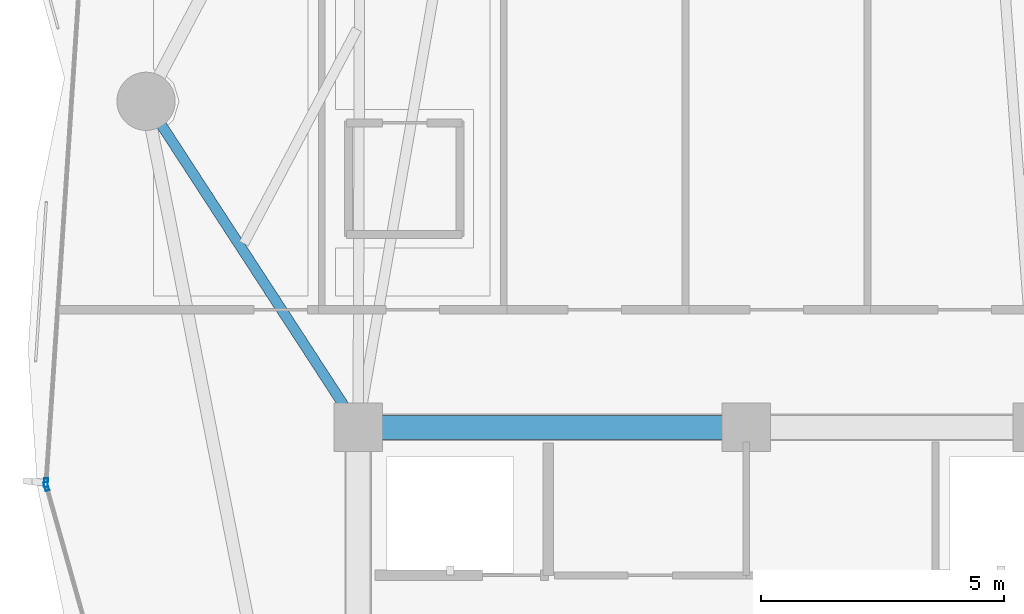
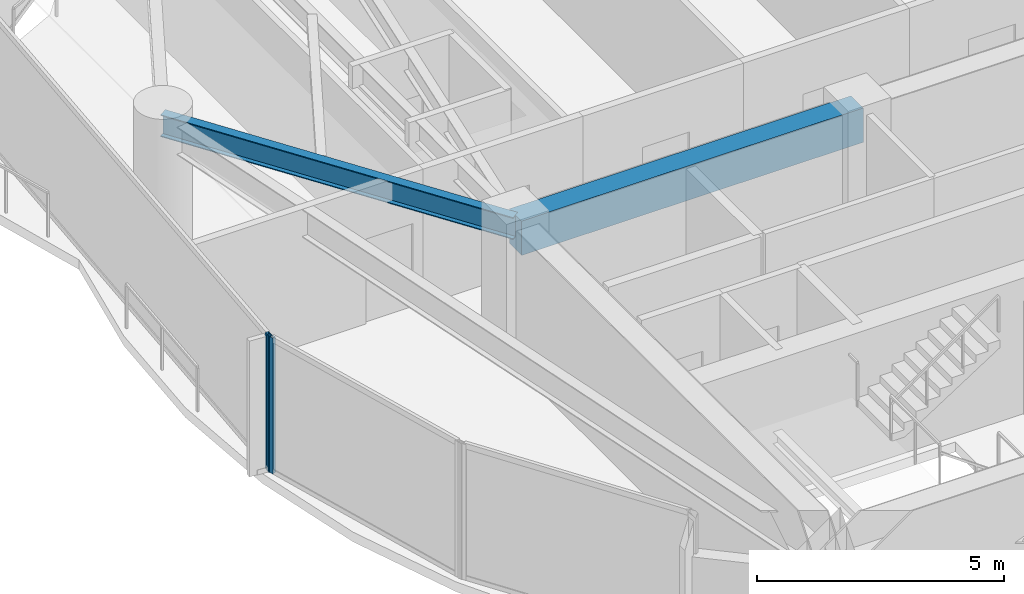
# One storey, part 7 of 31: 2 beams, 2 members, 2 elements without a shape of their own.
"""IFC4 building model written with IfcOpenShell, lengths in metres."""

import ifcopenshell
import ifcopenshell.guid

model = None  # the IFC model being written
_history = None  # IfcOwnerHistory: only IFC2X3 demands one
_inside = {}  # id of a spatial element -> (the spatial element, [elements in it])
_under = {}  # id of a project, library or spatial element -> (it, [spatial elements below it])
_declared = {}  # id of a project -> (the project, [libraries it declares])
_typed = {}  # id of a type object -> (the type object, [elements of that type])
_made_of = {}  # id of a material, layer set ... -> (it, [elements and type objects made of it])


def new_model(schema):
    """Start an empty IFC model of exactly this schema.

    Asked for "IFC4X3", IfcOpenShell would pick the latest addendum, in which some entities
    have other attributes; the version numbers below select the first issue.
    IFC2X3 requires an IfcOwnerHistory on every rooted entity: one is made here for all.
    """
    global model, _history
    if schema == "IFC4X3":
        model = ifcopenshell.file(schema_version=(4, 3, 0, 0))
    else:
        model = ifcopenshell.file(schema=schema)
    _inside.clear()
    _under.clear()
    _declared.clear()
    _typed.clear()
    _made_of.clear()
    _history = None
    if model.schema == "IFC2X3":
        org = make("IfcOrganization", Name="unknown")
        user = make(
            "IfcPersonAndOrganization",
            ThePerson=make("IfcPerson", FamilyName="unknown"),
            TheOrganization=org,
        )
        app = make(
            "IfcApplication",
            ApplicationDeveloper=org,
            Version="unknown",
            ApplicationFullName="unknown",
            ApplicationIdentifier="unknown",
        )
        _history = make(
            "IfcOwnerHistory",
            OwningUser=user,
            OwningApplication=app,
            ChangeAction="ADDED",
            CreationDate=0,
        )
    return model


def make(cls, **values):
    """One entity of the class cls with the attributes given. An attribute that is None is left unset."""
    return model.create_entity(
        cls, **{name: value for name, value in values.items() if value is not None}
    )


def rooted(cls, **values):
    """An entity with a GlobalId (a new one), such as an element, a storey or a relation."""
    return make(cls, GlobalId=ifcopenshell.guid.new(), OwnerHistory=_history, **values)


def si_unit(unit_type, name, prefix=None):
    """IfcSIUnit, for example si_unit("LENGTHUNIT", "METRE", prefix="MILLI")."""
    return make("IfcSIUnit", UnitType=unit_type, Prefix=prefix, Name=name)


def assignment(units):
    """IfcUnitAssignment: the units of a project."""
    return None if units is None else make("IfcUnitAssignment", Units=units)


def point(xyz):
    """IfcCartesianPoint."""
    return None if xyz is None else make("IfcCartesianPoint", Coordinates=xyz)


def direction(xyz):
    """IfcDirection."""
    return None if xyz is None else make("IfcDirection", DirectionRatios=xyz)


def frame(location, z_axis=None, x_axis=None):
    """IfcAxis2Placement3D, a coordinate frame: its origin and axes. An axis left out is left unset."""
    return make(
        "IfcAxis2Placement3D",
        Location=point(location),
        Axis=direction(z_axis),
        RefDirection=direction(x_axis),
    )


def frame_2d(location, x_axis=None):
    """IfcAxis2Placement2D, a coordinate frame in the plane: its origin and x axis."""
    return make(
        "IfcAxis2Placement2D", Location=point(location), RefDirection=direction(x_axis)
    )


def origin():
    """The frame at (0, 0, 0) with its axes left unset."""
    return frame((0.0, 0.0, 0.0))


def origin_2d():
    """The frame at (0, 0) in the plane with its x axis left unset."""
    return frame_2d((0.0, 0.0))


def place(relative_to, where):
    """IfcLocalPlacement: puts the frame where relative to a parent placement (None: the world)."""
    return make(
        "IfcLocalPlacement", PlacementRelTo=relative_to, RelativePlacement=where
    )


def context(
    kind, dimensions, precision=None, world=None, true_north=None, identifier=None
):
    """IfcGeometricRepresentationContext, for example the 3D "Model" context."""
    return make(
        "IfcGeometricRepresentationContext",
        ContextIdentifier=identifier,
        ContextType=kind,
        CoordinateSpaceDimension=dimensions,
        Precision=precision,
        WorldCoordinateSystem=world,
        TrueNorth=true_north,
    )


def subcontext(parent, identifier, kind, view, scale=None):
    """IfcGeometricRepresentationSubContext, for example "Body" below "Model"."""
    return make(
        "IfcGeometricRepresentationSubContext",
        ContextIdentifier=identifier,
        ContextType=kind,
        ParentContext=parent,
        TargetScale=scale,
        TargetView=view,
    )


def project(units=None, contexts=None):
    """IfcProject with its units and contexts."""
    return rooted(
        "IfcProject",
        Name="project",
        RepresentationContexts=contexts,
        UnitsInContext=assignment(units),
    )


def spatial(cls, under=None, at=None, **own):
    """A site, building, storey or space (cls), placed at a placement, below another one or the project."""
    s = rooted(cls, ObjectPlacement=at, **own)
    if under is not None:
        _under.setdefault(under.id(), (under, []))[1].append(s)
    return s


def profile(cls, at=None, kind="AREA", **sizes):
    """A parametric profile (cls). Its sizes go by their IFC names, for example OverallWidth=200.0."""
    return make(cls, ProfileType=kind, Position=at, **sizes)


def rectangle(**sizes):
    """IfcRectangleProfileDef."""
    return profile("IfcRectangleProfileDef", **sizes)


def hollow_rectangle(**sizes):
    """IfcRectangleHollowProfileDef."""
    return profile("IfcRectangleHollowProfileDef", **sizes)


def i_section(**sizes):
    """IfcIShapeProfileDef."""
    return profile("IfcIShapeProfileDef", **sizes)


def extrude(swept, where, along, depth):
    """IfcExtrudedAreaSolid: the profile swept, set in the frame where, extruded along a direction by depth."""
    return make(
        "IfcExtrudedAreaSolid",
        SweptArea=swept,
        Position=where,
        ExtrudedDirection=direction(along),
        Depth=depth,
    )


def shape(context_of_items, identifier, shape_type, items):
    """IfcShapeRepresentation: the items that make up one representation, for example the "Body"."""
    return make(
        "IfcShapeRepresentation",
        ContextOfItems=context_of_items,
        RepresentationIdentifier=identifier,
        RepresentationType=shape_type,
        Items=items,
    )


def material(Name=None, Category=None):
    """IfcMaterial."""
    return make("IfcMaterial", Name=Name, Category=Category)


def layer(
    of_material, thickness, ventilated=None, Name=None, Category=None, Priority=None
):
    """IfcMaterialLayer: one layer of a wall or slab, of a material (None: an air gap)."""
    return make(
        "IfcMaterialLayer",
        Material=of_material,
        LayerThickness=thickness,
        IsVentilated=ventilated,
        Name=Name,
        Category=Category,
        Priority=Priority,
    )


def layer_set(layers, Name=None):
    """IfcMaterialLayerSet."""
    return make("IfcMaterialLayerSet", MaterialLayers=layers, LayerSetName=Name)


def material_profile(
    of_material, cross_section, Name=None, Category=None, Priority=None
):
    """IfcMaterialProfile: a cross section and its material."""
    return make(
        "IfcMaterialProfile",
        Name=Name,
        Material=of_material,
        Profile=cross_section,
        Priority=Priority,
        Category=Category,
    )


def profile_set(profiles, Name=None, composite=None):
    """IfcMaterialProfileSet."""
    return make(
        "IfcMaterialProfileSet",
        Name=Name,
        MaterialProfiles=profiles,
        CompositeProfile=composite,
    )


def made_of(thing, what):
    """Note that an element or type object is made of a material, layer set ...; save() writes the relation."""
    if what is not None:
        _made_of.setdefault(what.id(), (what, []))[1].append(thing)
    return thing


def type_object(cls, material=None, **own):
    """A type object (cls), such as IfcWallType, which elements share."""
    return made_of(rooted(cls, **own), material)


def element(
    cls,
    number,
    at=None,
    inside=None,
    cuts=None,
    type_object=None,
    material=None,
    context=None,
    identifier="Body",
    shape_type=None,
    held_by="IfcProductDefinitionShape",
    body=None,
    shapes=None,
    **own,
):
    """One element of the class cls, such as IfcWall. Its Tag is "e" and its number.

    at: its placement. inside: the storey or other place that contains it. cuts: it is an
    opening in that element (IfcRelVoidsElement). A single representation is given by context,
    identifier, shape_type and body (its items); several are given by shapes. held_by: the class
    of the entity that holds the representations. save() writes the other relations.
    """
    e = rooted(cls, Tag="e%d" % number, ObjectPlacement=at, **own)
    if body is not None:
        shapes = [shape(context, identifier, shape_type, body)]
    if shapes is not None:
        e.Representation = make(held_by, Representations=shapes)
    if inside is not None:
        _inside.setdefault(inside.id(), (inside, []))[1].append(e)
    if cuts is not None:
        rooted(
            "IfcRelVoidsElement", RelatingBuildingElement=cuts, RelatedOpeningElement=e
        )
    if type_object is not None:
        _typed.setdefault(type_object.id(), (type_object, []))[1].append(e)
    return made_of(e, material)


def aggregate(whole, parts):
    """IfcRelAggregates: a whole, such as a stair, and the parts it consists of."""
    return rooted("IfcRelAggregates", RelatingObject=whole, RelatedObjects=parts)


def save(model, path):
    """Write the relations noted so far, then the file.

    IfcRelAggregates (storeys below a building ...), IfcRelContainedInSpatialStructure (elements
    in a storey), IfcRelDefinesByType, IfcRelAssociatesMaterial and IfcRelDeclares: one each for
    every whole, place, type object, material and project.
    """
    for whole, parts in _under.values():
        aggregate(whole, parts)
    for where, things in _inside.values():
        rooted(
            "IfcRelContainedInSpatialStructure",
            RelatedElements=things,
            RelatingStructure=where,
        )
    for kind, things in _typed.values():
        rooted("IfcRelDefinesByType", RelatedObjects=things, RelatingType=kind)
    for what, things in _made_of.values():
        rooted("IfcRelAssociatesMaterial", RelatedObjects=things, RelatingMaterial=what)
    for by, libraries in _declared.values():
        rooted("IfcRelDeclares", RelatingContext=by, RelatedDefinitions=libraries)
    model.write(path)


model = new_model("IFC4")

# Units and contexts
model_context = context("Model", 3, precision=1e-05, world=origin(), true_north=direction((0.0, 1.0)))
body_context = subcontext(model_context, "Body", "Model", "MODEL_VIEW")
ifc_project = project(units=[si_unit("LENGTHUNIT", "METRE"), si_unit("AREAUNIT", "SQUARE_METRE"), si_unit("VOLUMEUNIT", "CUBIC_METRE"), si_unit("PLANEANGLEUNIT", "RADIAN"), si_unit("MASSUNIT", "GRAM", prefix="KILO")], contexts=[model_context])

# Site, building, storey
site_placement = place(None, origin())
site = spatial("IfcSite", under=ifc_project, at=site_placement, CompositionType="ELEMENT")
building_placement = place(site_placement, origin())
building = spatial("IfcBuilding", under=site, at=building_placement, Name="Kazevale Care Tower and Concert Hall", CompositionType="ELEMENT")
storey_placement = place(building_placement, frame((0.0, 0.0, 124.199951171875)))
storey = spatial("IfcBuildingStorey", under=building, at=storey_placement, Name="L32", CompositionType="ELEMENT", Elevation=124.199951171875)

# Curtain wall, member
ifc_material_1 = material(Name="Aluminium 6063-T6 and Low-E Glass", Category="aluminium")
ifc_layer = layer(ifc_material_1, 0.179931640625)
ifc_layer_set = layer_set([ifc_layer], Name="Aluminium 6063-T6 and Low-E Glass")
curtain_wall_type = type_object("IfcCurtainWallType", Name="Waist & Upper Residential Curtain Wall CW-4", PredefinedType="NOTDEFINED", material=ifc_layer_set)
curtain_wall_1_placement = place(storey_placement, origin())
curtain_wall_1 = element("IfcCurtainWall", 1, at=curtain_wall_1_placement, inside=storey, type_object=curtain_wall_type, Name="cw:L32:f12", PredefinedType="NOTDEFINED")
ifc_material_2 = material(Name="Aluminium 6063-T6", Category="aluminium")
ifc_material_profile_1 = material_profile(ifc_material_2, hollow_rectangle(XDim=0.080078125, YDim=0.179931640625, WallThickness=0.0048828125, at=origin_2d()), Name="ALU80x180x5")
ifc_profile_set_1 = profile_set([ifc_material_profile_1], Name="Aluminium 6063-T6")
member_type = type_object("IfcMemberType", Name="CW-4 Mullion ALU80x180x5", PredefinedType="MULLION", material=ifc_profile_set_1)
member_1_placement = place(storey_placement, frame((15.576904296875, 35.18359375, 0.0), z_axis=(0.0, 0.0, 1.0), x_axis=(-0.962499078876, -0.271284948278, 0.0)))
member_1 = element("IfcMember", 2, at=member_1_placement, type_object=member_type, Name="CW-4 mullion 2", PredefinedType="MULLION", context=body_context, shape_type="SweptSolid", body=[
    extrude(hollow_rectangle(XDim=0.080078125, YDim=0.179931640625, WallThickness=0.0048828125, at=origin_2d()), origin(), (0.0, 0.0, 1.0), 3.360107421875),
])
aggregate(curtain_wall_1, [member_1])

curtain_wall_2_placement = place(storey_placement, origin())
curtain_wall_2 = element("IfcCurtainWall", 3, at=curtain_wall_2_placement, inside=storey, type_object=curtain_wall_type, Name="cw:L32:f13", PredefinedType="NOTDEFINED")
member_2_placement = place(storey_placement, frame((15.568603515625, 35.261962890625, 0.0), z_axis=(0.0, 0.0, 1.0), x_axis=(-0.997778418439, 0.06662002475, 0.0)))
member_2 = element("IfcMember", 4, at=member_2_placement, type_object=member_type, Name="CW-4 mullion 1", PredefinedType="MULLION", context=body_context, shape_type="SweptSolid", body=[
    extrude(hollow_rectangle(XDim=0.080078125, YDim=0.179931640625, WallThickness=0.0048828125, at=origin_2d()), origin(), (0.0, 0.0, 1.0), 3.360107421875),
])
aggregate(curtain_wall_2, [member_2])

# Beams
ifc_material_3 = material(Name="Concrete C60", Category="concrete")
ifc_material_profile_2 = material_profile(ifc_material_3, rectangle(XDim=0.5, YDim=0.85009765625, at=origin_2d()), Name="RC-B500x850")
ifc_profile_set_2 = profile_set([ifc_material_profile_2], Name="Concrete C60")
beam_type_1 = type_object("IfcBeamType", Name="Core Coupling Beam RC500x850", PredefinedType="LINTEL", material=ifc_profile_set_2)
beam_1_placement = place(storey_placement, frame((30.0, 36.39990234375, 2.93505859375), z_axis=(-1.0, 0.0, 0.0), x_axis=(0.0, -1.0, 0.0)))
element("IfcBeam", 5, at=beam_1_placement, inside=storey, type_object=beam_type_1, Name="beam:L32:coretie:7", PredefinedType="LINTEL", context=body_context, shape_type="SweptSolid", body=[
    extrude(rectangle(XDim=0.5, YDim=0.85009765625, at=origin_2d()), origin(), (0.0, 0.0, 1.0), 8.0),
])
ifc_material_4 = material(Name="Steel ASTM A572 Gr 50", Category="steel")
ifc_material_profile_3 = material_profile(ifc_material_4, i_section(OverallWidth=0.2119140625, OverallDepth=0.5439453125, WebThickness=0.01318359375, FlangeThickness=0.021240234375, at=origin_2d()), Name="W530x123")
ifc_profile_set_3 = profile_set([ifc_material_profile_3], Name="Steel ASTM A572 Gr 50")
beam_type_2 = type_object("IfcBeamType", Name="Radial Floor Girder W530x123", PredefinedType="BEAM", material=ifc_profile_set_3)
beam_2_placement = place(storey_placement, frame((22.0, 36.39990234375, 3.088134765625), z_axis=(-0.5451617613, 0.83833087383, 0.0), x_axis=(-0.83833087383, -0.5451617613, 0.0)))
element("IfcBeam", 6, at=beam_2_placement, inside=storey, type_object=beam_type_2, Name="beam:L32:rad:09", PredefinedType="BEAM", context=body_context, shape_type="SweptSolid", body=[
    extrude(i_section(OverallWidth=0.2119140625, OverallDepth=0.5439453125, WebThickness=0.01318359375, FlangeThickness=0.021240234375, at=origin_2d()), origin(), (0.0, 0.0, 1.0), 8.01611328125),
])

save(model, "model.ifc")
